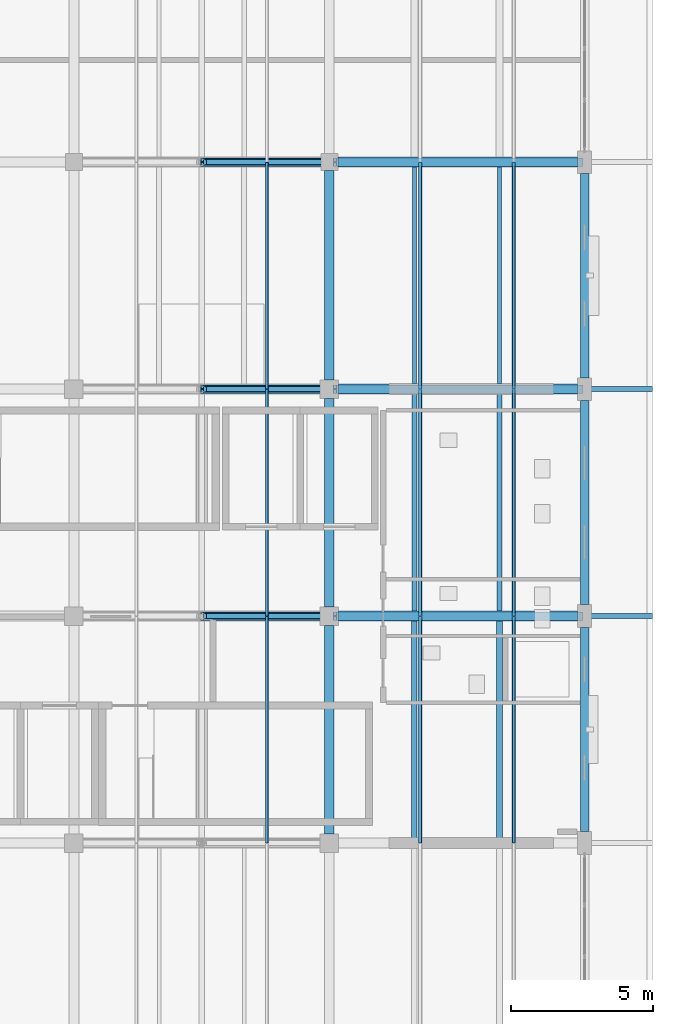
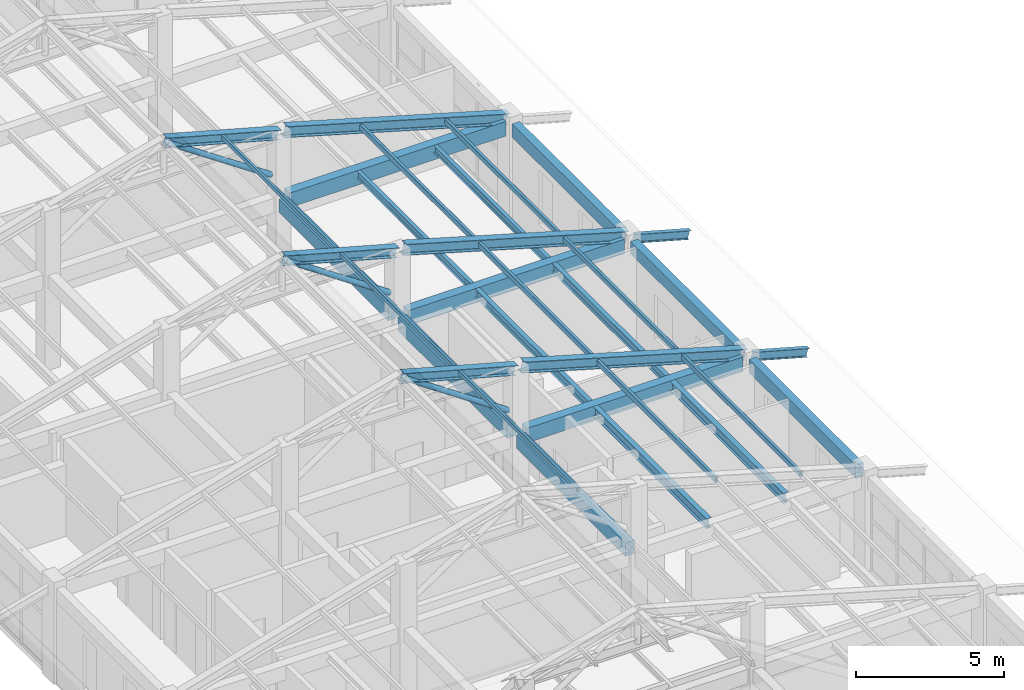
# One storey, part 36 of 58: 23 beams, 12 members.
"""IFC4 building model written with IfcOpenShell, lengths in metres."""

from ifc_helpers import new_model, si_unit, derived_unit, direction, frame, origin, origin_2d, place, context, subcontext, project, spatial, rectangle, hollow_rectangle, hollow_circle, i_section, extrude, material, material_profile, profile_set, type_object, element, save


model = new_model("IFC4")

# Units and contexts
model_context = context("Model", 3, precision=1e-05, world=origin(), true_north=direction((0.0, 1.0)))
body_context = subcontext(model_context, "Body", "Model", "MODEL_VIEW")
ifc_project = project(units=[si_unit("LENGTHUNIT", "METRE"), si_unit("AREAUNIT", "SQUARE_METRE"), si_unit("VOLUMEUNIT", "CUBIC_METRE"), si_unit("PLANEANGLEUNIT", "RADIAN"), si_unit("MASSUNIT", "GRAM", prefix="KILO"), derived_unit("THERMALTRANSMITTANCEUNIT", [(si_unit("MASSUNIT", "GRAM", prefix="KILO"), 1), (si_unit("TIMEUNIT", "SECOND"), -3), (si_unit("THERMODYNAMICTEMPERATUREUNIT", "KELVIN"), -1)])], contexts=[model_context])

# Site, building, storey
site_placement = place(None, origin())
site = spatial("IfcSite", under=ifc_project, at=site_placement, CompositionType="ELEMENT")
building_placement = place(site_placement, origin())
building = spatial("IfcBuilding", under=site, at=building_placement, Name="Zhenchuan Archway Interchange", CompositionType="ELEMENT")
storey_placement = place(building_placement, frame((0.0, 0.0, 22.800048828125)))
storey = spatial("IfcBuildingStorey", under=building, at=storey_placement, Name="L05", CompositionType="ELEMENT", Elevation=22.800048828125)

# Beams
ifc_material_1 = material(Name="Concrete C40", Category="concrete")
ifc_material_profile_1 = material_profile(ifc_material_1, rectangle(XDim=0.35009765625, YDim=0.550048828125, at=origin_2d()), Name="RC 350x550")
ifc_profile_set_1 = profile_set([ifc_material_profile_1], Name="Concrete C40")
beam_type_1 = type_object("IfcBeamType", Name="BM_RC_350x550", PredefinedType="BEAM", material=ifc_profile_set_1)
for number, where, z_axis, x_axis, name in (
    (1, (162.0, 48.324951171875, 3.64501953125), (0.0, 1.0, 0.0), (-1.0, 0.0, 0.0), "Beam 19:G-H (L05)"),
    (2, (162.0, 56.324951171875, 3.64501953125), (0.0, 1.0, 0.0), (-1.0, 0.0, 0.0), "Beam 19:H-J (L05)"),
):
    element("IfcBeam", number, at=place(storey_placement, frame(where, z_axis=z_axis, x_axis=x_axis)), inside=storey, type_object=beam_type_1, Name=name, PredefinedType="BEAM", context=body_context, shape_type="SweptSolid", body=[
        extrude(rectangle(XDim=0.35009765625, YDim=0.550048828125, at=origin_2d()), origin(), (0.0, 0.0, 1.0), 7.35009765625),
    ])
beam_1_placement = place(storey_placement, frame((162.0, 64.324951171875, 3.64501953125), z_axis=(0.0, 1.0, 0.0), x_axis=(-1.0, 0.0, 0.0)))
element("IfcBeam", 3, at=beam_1_placement, inside=storey, type_object=beam_type_1, Name="Beam 19:J-K (L05)", PredefinedType="BEAM", context=body_context, shape_type="SweptSolid", body=[
    extrude(rectangle(XDim=0.35009765625, YDim=0.550048828125, at=origin_2d()), origin(), (0.0, 0.0, 1.0), 7.375),
])
ifc_material_profile_2 = material_profile(ifc_material_1, rectangle(XDim=0.35009765625, YDim=0.60009765625, at=origin_2d()), Name="RC 350x600")
ifc_profile_set_2 = profile_set([ifc_material_profile_2], Name="Concrete C40")
beam_type_2 = type_object("IfcBeamType", Name="BM_RC_350x600", PredefinedType="BEAM", material=ifc_profile_set_2)
for number, where, z_axis, x_axis, name in (
    (4, (162.324951171875, 56.0, 3.619873046875), (1.0, 0.0, 0.0), (0.0, 1.0, 0.0), "Beam H:19-20 (L05)"),
    (5, (162.324951171875, 64.0, 3.619873046875), (1.0, 0.0, 0.0), (0.0, 1.0, 0.0), "Beam J:19-20 (L05)"),
):
    element("IfcBeam", number, at=place(storey_placement, frame(where, z_axis=z_axis, x_axis=x_axis)), inside=storey, type_object=beam_type_2, Name=name, PredefinedType="BEAM", context=body_context, shape_type="SweptSolid", body=[
        extrude(rectangle(XDim=0.35009765625, YDim=0.60009765625, at=origin_2d()), origin(), (0.0, 0.0, 1.0), 8.425048828125),
    ])
beam_2_placement = place(storey_placement, frame((162.300048828125, 72.0, 3.619873046875), z_axis=(1.0, 0.0, 0.0), x_axis=(0.0, 1.0, 0.0)))
element("IfcBeam", 6, at=beam_2_placement, inside=storey, type_object=beam_type_2, Name="Beam K:19-20 (L05)", PredefinedType="BEAM", context=body_context, shape_type="SweptSolid", body=[
    extrude(rectangle(XDim=0.35009765625, YDim=0.60009765625, at=origin_2d()), origin(), (0.0, 0.0, 1.0), 8.449951171875),
])
ifc_material_2 = material(Name="Steel Q355", Category="steel")
ifc_material_profile_3 = material_profile(ifc_material_2, i_section(OverallWidth=0.175048828125, OverallDepth=0.35009765625, WebThickness=0.007080078125, FlangeThickness=0.010986328125, FilletRadius=0.013916015625, at=origin_2d()), Name="HN 350x175")
ifc_profile_set_3 = profile_set([ifc_material_profile_3], Name="Steel Q355")
beam_type_3 = type_object("IfcBeamType", Name="BM_STL_EAVE_HN350", PredefinedType="BEAM", material=ifc_profile_set_3)
for number, where, z_axis, x_axis, name in (
    (7, (171.179931640625, 56.0, 3.719970703125), (0.963829493521, 0.0, -0.266519619201), (0.0, 1.0, 0.0), "Command wing east storm-eave bracket T5"),
    (8, (171.179931640625, 64.0, 3.719970703125), (0.963829493521, 0.0, -0.266519619201), (0.0, 1.0, 0.0), "Command wing east storm-eave bracket T6"),
):
    element("IfcBeam", number, at=place(storey_placement, frame(where, z_axis=z_axis, x_axis=x_axis)), inside=storey, type_object=beam_type_3, Name=name, PredefinedType="BEAM", context=body_context, shape_type="SweptSolid", body=[
        extrude(i_section(OverallWidth=0.175048828125, OverallDepth=0.35009765625, WebThickness=0.007080078125, FlangeThickness=0.010986328125, FilletRadius=0.013916015625, at=origin_2d()), origin(), (0.0, 0.0, 1.0), 2.251708984375),
    ])
ifc_material_profile_4 = material_profile(ifc_material_2, i_section(OverallWidth=0.300048828125, OverallDepth=0.389892578125, WebThickness=0.010009765625, FlangeThickness=0.01611328125, FilletRadius=0.02001953125, at=origin_2d()), Name="HM 390x300")
ifc_profile_set_4 = profile_set([ifc_material_profile_4], Name="Steel Q355")
beam_type_4 = type_object("IfcBeamType", Name="BM_STL_HM390", PredefinedType="BEAM", material=ifc_profile_set_4)
for number, where, z_axis, x_axis, name in (
    (9, (157.52001953125, 56.0, 7.639892578125), (0.964108539649, 0.0, -0.265508425055), (0.0, 1.0, 0.0), "ROOF TRUSS command wing T5 east apex rafter"),
    (10, (157.52001953125, 64.0, 7.639892578125), (0.964108539649, 0.0, -0.265508425055), (0.0, 1.0, 0.0), "ROOF TRUSS command wing T6 east apex rafter"),
    (11, (157.52001953125, 72.0, 7.639892578125), (0.964108539649, 0.0, -0.265508425055), (0.0, 1.0, 0.0), "ROOF TRUSS command wing T7 east apex rafter"),
):
    element("IfcBeam", number, at=place(storey_placement, frame(where, z_axis=z_axis, x_axis=x_axis)), inside=storey, type_object=beam_type_4, Name=name, PredefinedType="BEAM", context=body_context, shape_type="SweptSolid", body=[
        extrude(i_section(OverallWidth=0.300048828125, OverallDepth=0.389892578125, WebThickness=0.010009765625, FlangeThickness=0.01611328125, FilletRadius=0.02001953125, at=origin_2d()), origin(), (0.0, 0.0, 1.0), 4.5947265625),
    ])
ifc_material_profile_5 = material_profile(ifc_material_2, i_section(OverallWidth=0.300048828125, OverallDepth=0.43994140625, WebThickness=0.010986328125, FlangeThickness=0.01806640625, FilletRadius=0.02197265625, at=origin_2d()), Name="HM 440x300")
ifc_profile_set_5 = profile_set([ifc_material_profile_5], Name="Steel Q355")
beam_type_5 = type_object("IfcBeamType", Name="BM_STL_HM440", PredefinedType="BEAM", material=ifc_profile_set_5)
for number, where, z_axis, x_axis, name in (
    (12, (162.199951171875, 56.0, 6.449951171875), (0.960641143949, 0.0, -0.277792355102), (0.0, 1.0, 0.0), "ROOF TRUSS command wing T5 east lower rafter"),
    (13, (162.199951171875, 64.0, 6.449951171875), (0.960641143949, 0.0, -0.277792355102), (0.0, 1.0, 0.0), "ROOF TRUSS command wing T6 east lower rafter"),
    (14, (162.199951171875, 72.0, 6.449951171875), (0.960641143949, 0.0, -0.277792355102), (0.0, 1.0, 0.0), "ROOF TRUSS command wing T7 east lower rafter"),
):
    element("IfcBeam", number, at=place(storey_placement, frame(where, z_axis=z_axis, x_axis=x_axis)), inside=storey, type_object=beam_type_5, Name=name, PredefinedType="BEAM", context=body_context, shape_type="SweptSolid", body=[
        extrude(i_section(OverallWidth=0.300048828125, OverallDepth=0.43994140625, WebThickness=0.010986328125, FlangeThickness=0.01806640625, FilletRadius=0.02197265625, at=origin_2d()), origin(), (0.0, 0.0, 1.0), 9.03564453125),
    ])
ifc_material_profile_6 = material_profile(ifc_material_2, i_section(OverallWidth=0.14990234375, OverallDepth=0.300048828125, WebThickness=0.006591796875, FlangeThickness=0.009033203125, FilletRadius=0.012939453125, at=origin_2d()), Name="HN 300x150")
ifc_profile_set_6 = profile_set([ifc_material_profile_6], Name="Steel Q355")
beam_type_6 = type_object("IfcBeamType", Name="JST_STL_HN300", PredefinedType="JOIST", material=ifc_profile_set_6)
for number, where, z_axis, x_axis, name in (
    (15, (165.0, 64.175048828125, 3.77001953125), (0.0, 1.0, 0.0), (-1.0, 0.0, 0.0), "Secondary joist 19-20/J-K #1 (L05)"),
    (16, (168.0, 64.175048828125, 3.77001953125), (0.0, 1.0, 0.0), (-1.0, 0.0, 0.0), "Secondary joist 19-20/J-K #2 (L05)"),
):
    element("IfcBeam", number, at=place(storey_placement, frame(where, z_axis=z_axis, x_axis=x_axis)), inside=storey, type_object=beam_type_6, Name=name, PredefinedType="JOIST", context=body_context, shape_type="SweptSolid", body=[
        extrude(i_section(OverallWidth=0.14990234375, OverallDepth=0.300048828125, WebThickness=0.006591796875, FlangeThickness=0.009033203125, FilletRadius=0.012939453125, at=origin_2d()), origin(), (0.0, 0.0, 1.0), 7.64990234375),
    ])
ifc_material_profile_7 = material_profile(ifc_material_2, i_section(OverallWidth=0.175048828125, OverallDepth=0.35009765625, WebThickness=0.007080078125, FlangeThickness=0.010986328125, FilletRadius=0.013916015625, at=origin_2d()), Name="HN 350x175")
ifc_profile_set_7 = profile_set([ifc_material_profile_7], Name="Steel Q355")
beam_type_7 = type_object("IfcBeamType", Name="JST_STL_HN350", PredefinedType="JOIST", material=ifc_profile_set_7)
for number, where, z_axis, x_axis, name in (
    (17, (165.0, 56.175048828125, 3.744873046875), (0.0, 1.0, 0.0), (-1.0, 0.0, 0.0), "Secondary joist 19-20/H-J #1 (L05)"),
    (18, (168.0, 56.175048828125, 3.744873046875), (0.0, 1.0, 0.0), (-1.0, 0.0, 0.0), "Secondary joist 19-20/H-J #2 (L05)"),
):
    element("IfcBeam", number, at=place(storey_placement, frame(where, z_axis=z_axis, x_axis=x_axis)), inside=storey, type_object=beam_type_7, Name=name, PredefinedType="JOIST", context=body_context, shape_type="SweptSolid", body=[
        extrude(i_section(OverallWidth=0.175048828125, OverallDepth=0.35009765625, WebThickness=0.007080078125, FlangeThickness=0.010986328125, FilletRadius=0.013916015625, at=origin_2d()), origin(), (0.0, 0.0, 1.0), 7.64990234375),
    ])
ifc_material_profile_8 = material_profile(ifc_material_2, i_section(OverallWidth=0.199951171875, OverallDepth=0.39990234375, WebThickness=0.008056640625, FlangeThickness=0.012939453125, FilletRadius=0.01611328125, at=origin_2d()), Name="HN 400x200")
ifc_profile_set_8 = profile_set([ifc_material_profile_8], Name="Steel Q355")
beam_type_8 = type_object("IfcBeamType", Name="JST_STL_HN400", PredefinedType="JOIST", material=ifc_profile_set_8)
for number, where, z_axis, x_axis, name in (
    (19, (165.0, 48.175048828125, 3.719970703125), (0.0, 1.0, 0.0), (-1.0, 0.0, 0.0), "Secondary joist 19-20/G-H #1 (L05)"),
    (20, (168.0, 48.175048828125, 3.719970703125), (0.0, 1.0, 0.0), (-1.0, 0.0, 0.0), "Secondary joist 19-20/G-H #2 (L05)"),
):
    element("IfcBeam", number, at=place(storey_placement, frame(where, z_axis=z_axis, x_axis=x_axis)), inside=storey, type_object=beam_type_8, Name=name, PredefinedType="JOIST", context=body_context, shape_type="SweptSolid", body=[
        extrude(i_section(OverallWidth=0.199951171875, OverallDepth=0.39990234375, WebThickness=0.008056640625, FlangeThickness=0.012939453125, FilletRadius=0.01611328125, at=origin_2d()), origin(), (0.0, 0.0, 1.0), 7.64990234375),
    ])

# Members
ifc_material_profile_9 = material_profile(ifc_material_2, hollow_circle(Radius=0.109619140625, WallThickness=0.008056640625, at=origin_2d()), Name="CHS 219x8")
ifc_profile_set_9 = profile_set([ifc_material_profile_9], Name="Steel Q355")
member_type_1 = type_object("IfcMemberType", Name="MB_CHS219", PredefinedType="BRACE", material=ifc_profile_set_9)
for number, where, z_axis, x_axis, name in (
    (21, (161.679931640625, 56.0, 4.800048828125), (-0.827937334182, 0.0, 0.560820622541), (0.0, -1.0, 0.0), "ROOF TRUSS command wing T5 east apex diagonal"),
    (22, (161.679931640625, 64.0, 4.800048828125), (-0.827937334182, 0.0, 0.560820622541), (0.0, -1.0, 0.0), "ROOF TRUSS command wing T6 east apex diagonal"),
    (23, (161.679931640625, 72.0, 4.800048828125), (-0.827937334182, 0.0, 0.560820622541), (0.0, -1.0, 0.0), "ROOF TRUSS command wing T7 east apex diagonal"),
):
    element("IfcMember", number, at=place(storey_placement, frame(where, z_axis=z_axis, x_axis=x_axis)), inside=storey, type_object=member_type_1, Name=name, PredefinedType="BRACE", context=body_context, shape_type="SweptSolid", body=[
        extrude(hollow_circle(Radius=0.109619140625, WallThickness=0.008056640625, at=origin_2d()), origin(), (0.0, 0.0, 1.0), 4.903564453125),
    ])
ifc_material_profile_10 = material_profile(ifc_material_2, hollow_rectangle(XDim=0.10009765625, YDim=0.179931640625, WallThickness=0.006103515625, InnerFilletRadius=0.006103515625, OuterFilletRadius=0.011962890625, at=origin_2d()), Name="RHS 180x100x6")
ifc_profile_set_10 = profile_set([ifc_material_profile_10], Name="Steel Q355")
member_type_2 = type_object("IfcMemberType", Name="MB_RHS180", PredefinedType="PURLIN", material=ifc_profile_set_10)
for number, where, z_axis, x_axis, name in (
    (24, (159.800048828125, 48.008056640625, 7.02001953125), (0.0, 1.0, 0.0), (-1.0, 0.0, 0.0), "Command wing roof purlin B4-P4"),
    (25, (159.800048828125, 56.008056640625, 7.02001953125), (0.0, 1.0, 0.0), (-1.0, 0.0, 0.0), "Command wing roof purlin B5-P4"),
    (26, (159.800048828125, 64.008056640625, 7.02001953125), (0.0, 1.0, 0.0), (-1.0, 0.0, 0.0), "Command wing roof purlin B6-P4"),
):
    element("IfcMember", number, at=place(storey_placement, frame(where, z_axis=z_axis, x_axis=x_axis)), inside=storey, type_object=member_type_2, Name=name, PredefinedType="PURLIN", context=body_context, shape_type="SweptSolid", body=[
        extrude(hollow_rectangle(XDim=0.10009765625, YDim=0.179931640625, WallThickness=0.006103515625, InnerFilletRadius=0.006103515625, OuterFilletRadius=0.011962890625, at=origin_2d()), origin(), (0.0, 0.0, 1.0), 7.98388671875),
    ])
ifc_material_profile_11 = material_profile(ifc_material_2, hollow_rectangle(XDim=0.1201171875, YDim=0.199951171875, WallThickness=0.008056640625, InnerFilletRadius=0.008056640625, OuterFilletRadius=0.01611328125, at=origin_2d()), Name="RHS 200x120x8")
ifc_profile_set_11 = profile_set([ifc_material_profile_11], Name="Steel Q355")
member_type_3 = type_object("IfcMemberType", Name="MB_RHS200", PredefinedType="PURLIN", material=ifc_profile_set_11)
for number, where, z_axis, x_axis, name in (
    (27, (168.5, 48.008056640625, 4.619873046875), (0.0, 1.0, 0.0), (-1.0, 0.0, 0.0), "Command wing roof purlin B4-P6"),
    (28, (168.5, 56.008056640625, 4.619873046875), (0.0, 1.0, 0.0), (-1.0, 0.0, 0.0), "Command wing roof purlin B5-P6"),
    (29, (168.5, 64.008056640625, 4.619873046875), (0.0, 1.0, 0.0), (-1.0, 0.0, 0.0), "Command wing roof purlin B6-P6"),
):
    element("IfcMember", number, at=place(storey_placement, frame(where, z_axis=z_axis, x_axis=x_axis)), inside=storey, type_object=member_type_3, Name=name, PredefinedType="PURLIN", context=body_context, shape_type="SweptSolid", body=[
        extrude(hollow_rectangle(XDim=0.1201171875, YDim=0.199951171875, WallThickness=0.008056640625, InnerFilletRadius=0.008056640625, OuterFilletRadius=0.01611328125, at=origin_2d()), origin(), (0.0, 0.0, 1.0), 7.98388671875),
    ])
ifc_material_profile_12 = material_profile(ifc_material_2, hollow_rectangle(XDim=0.1201171875, YDim=0.219970703125, WallThickness=0.008056640625, InnerFilletRadius=0.008056640625, OuterFilletRadius=0.01611328125, at=origin_2d()), Name="RHS 220x120x8")
ifc_profile_set_12 = profile_set([ifc_material_profile_12], Name="Steel Q355")
member_type_4 = type_object("IfcMemberType", Name="MB_RHS220", PredefinedType="PURLIN", material=ifc_profile_set_12)
for number, where, z_axis, x_axis, name in (
    (30, (165.199951171875, 48.008056640625, 5.5400390625), (0.0, 1.0, 0.0), (-1.0, 0.0, 0.0), "Command wing roof purlin B4-P5"),
    (31, (165.199951171875, 56.008056640625, 5.5400390625), (0.0, 1.0, 0.0), (-1.0, 0.0, 0.0), "Command wing roof purlin B5-P5"),
    (32, (165.199951171875, 64.008056640625, 5.5400390625), (0.0, 1.0, 0.0), (-1.0, 0.0, 0.0), "Command wing roof purlin B6-P5"),
):
    element("IfcMember", number, at=place(storey_placement, frame(where, z_axis=z_axis, x_axis=x_axis)), inside=storey, type_object=member_type_4, Name=name, PredefinedType="PURLIN", context=body_context, shape_type="SweptSolid", body=[
        extrude(hollow_rectangle(XDim=0.1201171875, YDim=0.219970703125, WallThickness=0.008056640625, InnerFilletRadius=0.008056640625, OuterFilletRadius=0.01611328125, at=origin_2d()), origin(), (0.0, 0.0, 1.0), 7.98388671875),
    ])

# Beams
ifc_material_profile_13 = material_profile(ifc_material_1, rectangle(XDim=0.300048828125, YDim=0.5, at=origin_2d()), Name="RC 300x500")
ifc_profile_set_13 = profile_set([ifc_material_profile_13], Name="Concrete C40")
beam_type_9 = type_object("IfcBeamType", Name="SP_RC_300x500", PredefinedType="SPANDREL", material=ifc_profile_set_13)
beam_3_placement = place(storey_placement, frame((171.0, 56.39990234375, 3.669921875), z_axis=(0.0, 1.0, 0.0), x_axis=(-1.0, 0.0, 0.0)))
element("IfcBeam", 33, at=beam_3_placement, inside=storey, type_object=beam_type_9, Name="Beam 20:H-J (L05)", PredefinedType="SPANDREL", context=body_context, shape_type="SweptSolid", body=[
    extrude(rectangle(XDim=0.300048828125, YDim=0.5, at=origin_2d()), origin(), (0.0, 0.0, 1.0), 7.2001953125),
])
ifc_material_profile_14 = material_profile(ifc_material_1, rectangle(XDim=0.300048828125, YDim=0.550048828125, at=origin_2d()), Name="RC 300x550")
ifc_profile_set_14 = profile_set([ifc_material_profile_14], Name="Concrete C40")
beam_type_10 = type_object("IfcBeamType", Name="SP_RC_300x550", PredefinedType="SPANDREL", material=ifc_profile_set_14)
for number, where, z_axis, x_axis, name in (
    (34, (171.0, 48.39990234375, 3.64501953125), (0.0, 1.0, 0.0), (-1.0, 0.0, 0.0), "Beam 20:G-H (L05)"),
    (35, (171.0, 64.39990234375, 3.64501953125), (0.0, 1.0, 0.0), (-1.0, 0.0, 0.0), "Beam 20:J-K (L05)"),
):
    element("IfcBeam", number, at=place(storey_placement, frame(where, z_axis=z_axis, x_axis=x_axis)), inside=storey, type_object=beam_type_10, Name=name, PredefinedType="SPANDREL", context=body_context, shape_type="SweptSolid", body=[
        extrude(rectangle(XDim=0.300048828125, YDim=0.550048828125, at=origin_2d()), origin(), (0.0, 0.0, 1.0), 7.2001953125),
    ])

save(model, "model.ifc")
